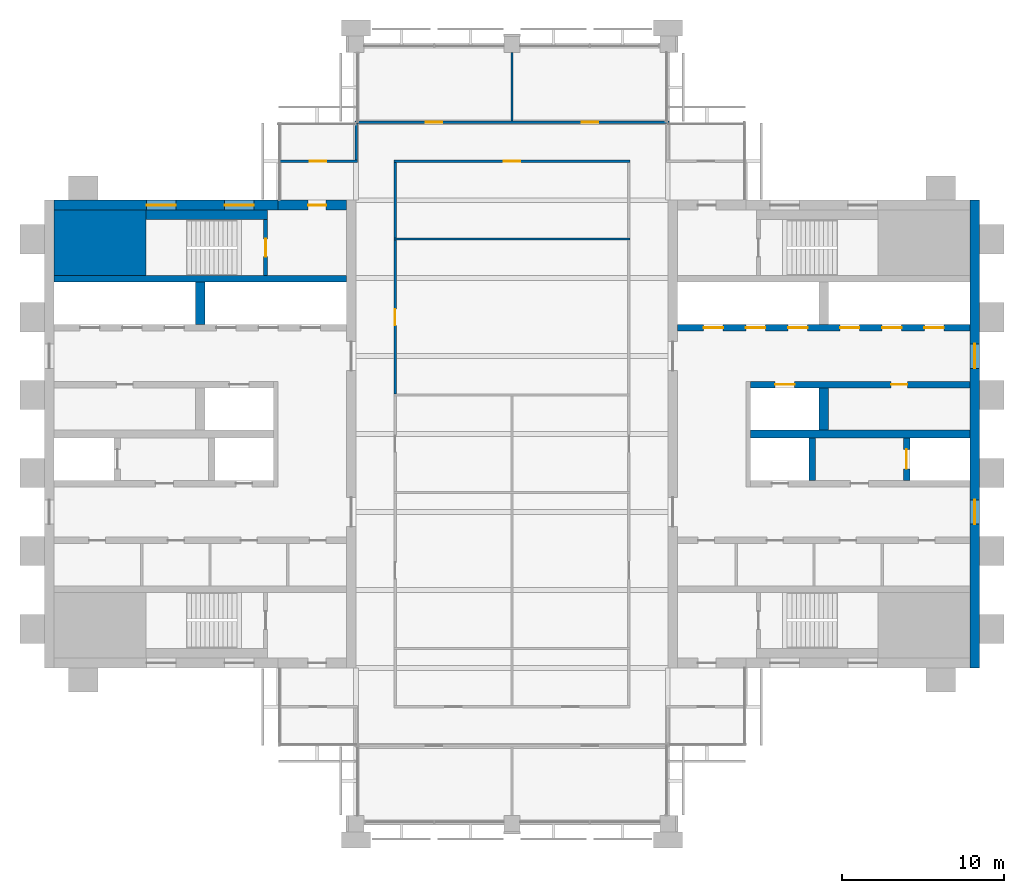
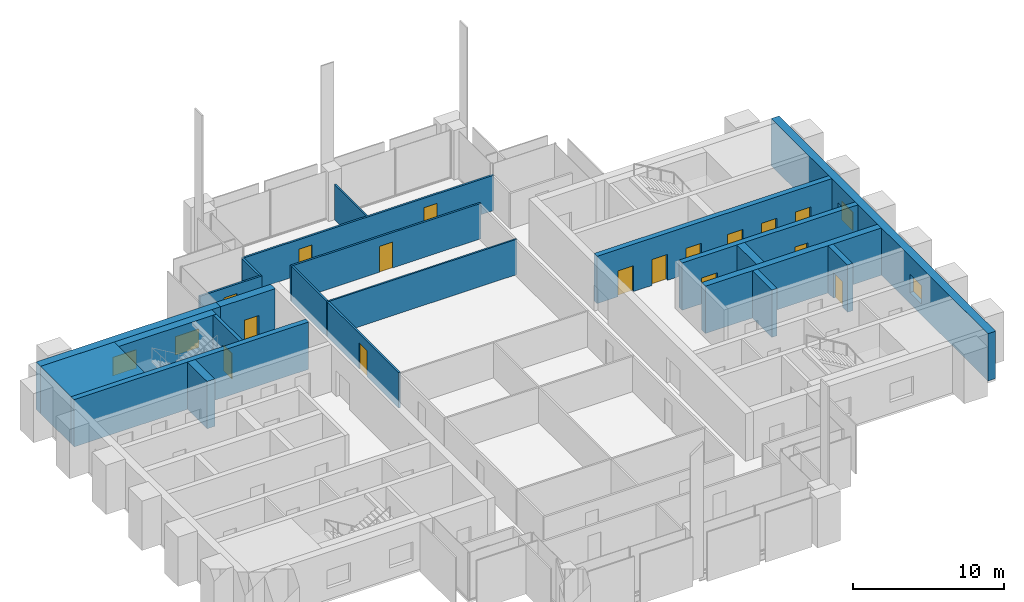
# One storey, part 10 of 12: 22 walls, 16 doors, 4 windows, 20 openings.
"""IFC4 building model written with IfcOpenShell, lengths in metres."""

import ifcopenshell
import ifcopenshell.guid

model = None  # the IFC model being written
_history = None  # IfcOwnerHistory: only IFC2X3 demands one
_inside = {}  # id of a spatial element -> (the spatial element, [elements in it])
_under = {}  # id of a project, library or spatial element -> (it, [spatial elements below it])
_declared = {}  # id of a project -> (the project, [libraries it declares])
_typed = {}  # id of a type object -> (the type object, [elements of that type])
_made_of = {}  # id of a material, layer set ... -> (it, [elements and type objects made of it])


def new_model(schema):
    """Start an empty IFC model of exactly this schema.

    Asked for "IFC4X3", IfcOpenShell would pick the latest addendum, in which some entities
    have other attributes; the version numbers below select the first issue.
    IFC2X3 requires an IfcOwnerHistory on every rooted entity: one is made here for all.
    """
    global model, _history
    if schema == "IFC4X3":
        model = ifcopenshell.file(schema_version=(4, 3, 0, 0))
    else:
        model = ifcopenshell.file(schema=schema)
    _inside.clear()
    _under.clear()
    _declared.clear()
    _typed.clear()
    _made_of.clear()
    _history = None
    if model.schema == "IFC2X3":
        org = make("IfcOrganization", Name="unknown")
        user = make(
            "IfcPersonAndOrganization",
            ThePerson=make("IfcPerson", FamilyName="unknown"),
            TheOrganization=org,
        )
        app = make(
            "IfcApplication",
            ApplicationDeveloper=org,
            Version="unknown",
            ApplicationFullName="unknown",
            ApplicationIdentifier="unknown",
        )
        _history = make(
            "IfcOwnerHistory",
            OwningUser=user,
            OwningApplication=app,
            ChangeAction="ADDED",
            CreationDate=0,
        )
    return model


def make(cls, **values):
    """One entity of the class cls with the attributes given. An attribute that is None is left unset."""
    return model.create_entity(
        cls, **{name: value for name, value in values.items() if value is not None}
    )


def rooted(cls, **values):
    """An entity with a GlobalId (a new one), such as an element, a storey or a relation."""
    return make(cls, GlobalId=ifcopenshell.guid.new(), OwnerHistory=_history, **values)


def si_unit(unit_type, name, prefix=None):
    """IfcSIUnit, for example si_unit("LENGTHUNIT", "METRE", prefix="MILLI")."""
    return make("IfcSIUnit", UnitType=unit_type, Prefix=prefix, Name=name)


def assignment(units):
    """IfcUnitAssignment: the units of a project."""
    return None if units is None else make("IfcUnitAssignment", Units=units)


def point(xyz):
    """IfcCartesianPoint."""
    return None if xyz is None else make("IfcCartesianPoint", Coordinates=xyz)


def direction(xyz):
    """IfcDirection."""
    return None if xyz is None else make("IfcDirection", DirectionRatios=xyz)


def frame(location, z_axis=None, x_axis=None):
    """IfcAxis2Placement3D, a coordinate frame: its origin and axes. An axis left out is left unset."""
    return make(
        "IfcAxis2Placement3D",
        Location=point(location),
        Axis=direction(z_axis),
        RefDirection=direction(x_axis),
    )


def frame_2d(location, x_axis=None):
    """IfcAxis2Placement2D, a coordinate frame in the plane: its origin and x axis."""
    return make(
        "IfcAxis2Placement2D", Location=point(location), RefDirection=direction(x_axis)
    )


def origin():
    """The frame at (0, 0, 0) with its axes left unset."""
    return frame((0.0, 0.0, 0.0))


def place(relative_to, where):
    """IfcLocalPlacement: puts the frame where relative to a parent placement (None: the world)."""
    return make(
        "IfcLocalPlacement", PlacementRelTo=relative_to, RelativePlacement=where
    )


def context(
    kind, dimensions, precision=None, world=None, true_north=None, identifier=None
):
    """IfcGeometricRepresentationContext, for example the 3D "Model" context."""
    return make(
        "IfcGeometricRepresentationContext",
        ContextIdentifier=identifier,
        ContextType=kind,
        CoordinateSpaceDimension=dimensions,
        Precision=precision,
        WorldCoordinateSystem=world,
        TrueNorth=true_north,
    )


def subcontext(parent, identifier, kind, view, scale=None):
    """IfcGeometricRepresentationSubContext, for example "Body" below "Model"."""
    return make(
        "IfcGeometricRepresentationSubContext",
        ContextIdentifier=identifier,
        ContextType=kind,
        ParentContext=parent,
        TargetScale=scale,
        TargetView=view,
    )


def project(units=None, contexts=None):
    """IfcProject with its units and contexts."""
    return rooted(
        "IfcProject",
        Name="project",
        RepresentationContexts=contexts,
        UnitsInContext=assignment(units),
    )


def spatial(cls, under=None, at=None, **own):
    """A site, building, storey or space (cls), placed at a placement, below another one or the project."""
    s = rooted(cls, ObjectPlacement=at, **own)
    if under is not None:
        _under.setdefault(under.id(), (under, []))[1].append(s)
    return s


def profile(cls, at=None, kind="AREA", **sizes):
    """A parametric profile (cls). Its sizes go by their IFC names, for example OverallWidth=200.0."""
    return make(cls, ProfileType=kind, Position=at, **sizes)


def rectangle(**sizes):
    """IfcRectangleProfileDef."""
    return profile("IfcRectangleProfileDef", **sizes)


def extrude(swept, where, along, depth):
    """IfcExtrudedAreaSolid: the profile swept, set in the frame where, extruded along a direction by depth."""
    return make(
        "IfcExtrudedAreaSolid",
        SweptArea=swept,
        Position=where,
        ExtrudedDirection=direction(along),
        Depth=depth,
    )


def shape(context_of_items, identifier, shape_type, items):
    """IfcShapeRepresentation: the items that make up one representation, for example the "Body"."""
    return make(
        "IfcShapeRepresentation",
        ContextOfItems=context_of_items,
        RepresentationIdentifier=identifier,
        RepresentationType=shape_type,
        Items=items,
    )


def material(Name=None, Category=None):
    """IfcMaterial."""
    return make("IfcMaterial", Name=Name, Category=Category)


def layer(
    of_material, thickness, ventilated=None, Name=None, Category=None, Priority=None
):
    """IfcMaterialLayer: one layer of a wall or slab, of a material (None: an air gap)."""
    return make(
        "IfcMaterialLayer",
        Material=of_material,
        LayerThickness=thickness,
        IsVentilated=ventilated,
        Name=Name,
        Category=Category,
        Priority=Priority,
    )


def layer_set(layers, Name=None):
    """IfcMaterialLayerSet."""
    return make("IfcMaterialLayerSet", MaterialLayers=layers, LayerSetName=Name)


def made_of(thing, what):
    """Note that an element or type object is made of a material, layer set ...; save() writes the relation."""
    if what is not None:
        _made_of.setdefault(what.id(), (what, []))[1].append(thing)
    return thing


def type_object(cls, material=None, **own):
    """A type object (cls), such as IfcWallType, which elements share."""
    return made_of(rooted(cls, **own), material)


def element(
    cls,
    number,
    at=None,
    inside=None,
    cuts=None,
    type_object=None,
    material=None,
    context=None,
    identifier="Body",
    shape_type=None,
    held_by="IfcProductDefinitionShape",
    body=None,
    shapes=None,
    **own,
):
    """One element of the class cls, such as IfcWall. Its Tag is "e" and its number.

    at: its placement. inside: the storey or other place that contains it. cuts: it is an
    opening in that element (IfcRelVoidsElement). A single representation is given by context,
    identifier, shape_type and body (its items); several are given by shapes. held_by: the class
    of the entity that holds the representations. save() writes the other relations.
    """
    e = rooted(cls, Tag="e%d" % number, ObjectPlacement=at, **own)
    if body is not None:
        shapes = [shape(context, identifier, shape_type, body)]
    if shapes is not None:
        e.Representation = make(held_by, Representations=shapes)
    if inside is not None:
        _inside.setdefault(inside.id(), (inside, []))[1].append(e)
    if cuts is not None:
        rooted(
            "IfcRelVoidsElement", RelatingBuildingElement=cuts, RelatedOpeningElement=e
        )
    if type_object is not None:
        _typed.setdefault(type_object.id(), (type_object, []))[1].append(e)
    return made_of(e, material)


def fill(opening, filler):
    """IfcRelFillsElement: the door or window that sits in an opening."""
    return rooted(
        "IfcRelFillsElement",
        RelatingOpeningElement=opening,
        RelatedBuildingElement=filler,
    )


def aggregate(whole, parts):
    """IfcRelAggregates: a whole, such as a stair, and the parts it consists of."""
    return rooted("IfcRelAggregates", RelatingObject=whole, RelatedObjects=parts)


def save(model, path):
    """Write the relations noted so far, then the file.

    IfcRelAggregates (storeys below a building ...), IfcRelContainedInSpatialStructure (elements
    in a storey), IfcRelDefinesByType, IfcRelAssociatesMaterial and IfcRelDeclares: one each for
    every whole, place, type object, material and project.
    """
    for whole, parts in _under.values():
        aggregate(whole, parts)
    for where, things in _inside.values():
        rooted(
            "IfcRelContainedInSpatialStructure",
            RelatedElements=things,
            RelatingStructure=where,
        )
    for kind, things in _typed.values():
        rooted("IfcRelDefinesByType", RelatedObjects=things, RelatingType=kind)
    for what, things in _made_of.values():
        rooted("IfcRelAssociatesMaterial", RelatedObjects=things, RelatingMaterial=what)
    for by, libraries in _declared.values():
        rooted("IfcRelDeclares", RelatingContext=by, RelatedDefinitions=libraries)
    model.write(path)


model = new_model("IFC4")

# Units and contexts
model_context = context("Model", 3, precision=1e-05, world=origin(), true_north=direction((0.0, 1.0)))
body_context = subcontext(model_context, "Body", "Model", "MODEL_VIEW")
ifc_project = project(units=[si_unit("LENGTHUNIT", "METRE"), si_unit("AREAUNIT", "SQUARE_METRE"), si_unit("VOLUMEUNIT", "CUBIC_METRE"), si_unit("PLANEANGLEUNIT", "RADIAN"), si_unit("MASSUNIT", "GRAM", prefix="KILO")], contexts=[model_context])

# Site, building, storey
site_placement = place(None, origin())
site = spatial("IfcSite", under=ifc_project, at=site_placement, CompositionType="ELEMENT")
building_placement = place(site_placement, origin())
building = spatial("IfcBuilding", under=site, at=building_placement, Name="Baori Bourse Tower", CompositionType="ELEMENT")
storey_placement = place(building_placement, frame((0.0, 0.0, 306.300048828125)))
storey = spatial("IfcBuildingStorey", under=building, at=storey_placement, Name="L67", CompositionType="ELEMENT", Elevation=306.300048828125)

# Wall
ifc_material_1 = material(Name="Concrete f'c 40 MPa", Category="concrete")
wall_type_1 = type_object("IfcWallType", Name="Core corner block f'c 40", PredefinedType="SHEAR", material=ifc_material_1)
wall_1_placement = place(storey_placement, frame((0.60009765625, 35.77490234375, 0.0), z_axis=(0.0, 0.0, 1.0), x_axis=(1.0, 0.0, 0.0)))
element("IfcWall", 1, at=wall_1_placement, inside=storey, type_object=wall_type_1, Name="Core wall W23", PredefinedType="SHEAR", context=body_context, shape_type="SweptSolid", body=[
    extrude(rectangle(XDim=5.64990234375, YDim=4.050048828125, at=frame_2d((2.824951171875, 0.0))), origin(), (0.0, 0.0, 1.0), 3.83984375),
])

# Wall, openings, windows
ifc_material_2 = material(Name="Concrete f'c 40 MPa", Category="concrete")
ifc_layer_1 = layer(ifc_material_2, 0.60009765625)
ifc_layer_set_1 = layer_set([ifc_layer_1], Name="Core wall 600 f'c 40")
wall_type_2 = type_object("IfcWallType", Name="Core wall 600 f'c 40", PredefinedType="SHEAR", material=ifc_layer_set_1)
wall_2_placement = place(storey_placement, frame((0.60009765625, 38.10009765625, 0.0), z_axis=(0.0, 0.0, 1.0), x_axis=(1.0, 0.0, 0.0)))
wall_2 = element("IfcWall", 2, at=wall_2_placement, inside=storey, type_object=wall_type_2, Name="Core wall W26", PredefinedType="SHEAR", context=body_context, shape_type="SweptSolid", body=[
    extrude(rectangle(XDim=13.7998046875, YDim=0.60009765625, at=frame_2d((6.89990234375, 0.0))), origin(), (0.0, 0.0, 1.0), 3.83984375),
])
opening_1_placement = place(wall_2_placement, frame((5.699951171875, 0.0, 0.89990234375)))
opening_1 = element("IfcOpeningElement", 3, at=opening_1_placement, cuts=wall_2, Name="Opening L67-KW105", PredefinedType="OPENING", context=body_context, shape_type="SweptSolid", body=[
    extrude(rectangle(XDim=1.800048828125, YDim=1.5, at=frame_2d((0.89990234375, 0.75))), frame((0.0, 0.31005859375, 0.0), z_axis=(0.0, -1.0, 0.0), x_axis=(1.0, 0.0, 0.0)), (0.0, 0.0, 1.0), 0.6201171875),
])
opening_2_placement = place(wall_2_placement, frame((10.5, 0.0, 0.89990234375)))
opening_2 = element("IfcOpeningElement", 4, at=opening_2_placement, cuts=wall_2, Name="Opening L67-KW106", PredefinedType="OPENING", context=body_context, shape_type="SweptSolid", body=[
    extrude(rectangle(XDim=1.800048828125, YDim=1.5, at=frame_2d((0.89990234375, 0.75))), frame((0.0, 0.31005859375, 0.0), z_axis=(0.0, -1.0, 0.0), x_axis=(1.0, 0.0, 0.0)), (0.0, 0.0, 1.0), 0.6201171875),
])
ifc_material_3 = material(Name="Pale anodised aluminium", Category="aluminium")
window_type_1 = type_object("IfcWindowType", Name="Stair window 1800 x 1500", PartitioningType="SINGLE_PANEL", PredefinedType="WINDOW", material=ifc_material_3)
window_1_placement = place(opening_1_placement, origin())
window_1 = element("IfcWindow", 5, at=window_1_placement, inside=storey, type_object=window_type_1, Name="Stair window W L67 5", OverallHeight=1.5, OverallWidth=1.800048828125, PartitioningType="SINGLE_PANEL", PredefinedType="WINDOW", context=body_context, shape_type="SweptSolid", body=[
    extrude(rectangle(XDim=1.800048828125, YDim=1.5, at=frame_2d((0.89990234375, 0.75))), frame((0.0, 0.030029296875, 0.0), z_axis=(0.0, -1.0, 0.0), x_axis=(1.0, 0.0, 0.0)), (0.0, 0.0, 1.0), 0.06005859375),
])
fill(opening_1, window_1)
window_2_placement = place(opening_2_placement, origin())
window_2 = element("IfcWindow", 6, at=window_2_placement, inside=storey, type_object=window_type_1, Name="Stair window W L67 6", OverallHeight=1.5, OverallWidth=1.800048828125, PartitioningType="SINGLE_PANEL", PredefinedType="WINDOW", context=body_context, shape_type="SweptSolid", body=[
    extrude(rectangle(XDim=1.800048828125, YDim=1.5, at=frame_2d((0.89990234375, 0.75))), frame((0.0, 0.030029296875, 0.0), z_axis=(0.0, -1.0, 0.0), x_axis=(1.0, 0.0, 0.0)), (0.0, 0.0, 1.0), 0.06005859375),
])
fill(opening_2, window_2)

# Wall, opening, door
wall_3_placement = place(storey_placement, frame((14.39990234375, 38.10009765625, 0.0), z_axis=(0.0, 0.0, 1.0), x_axis=(1.0, 0.0, 0.0)))
wall_3 = element("IfcWall", 7, at=wall_3_placement, inside=storey, type_object=wall_type_2, Name="Core wall W27", PredefinedType="SHEAR", context=body_context, shape_type="SweptSolid", body=[
    extrude(rectangle(XDim=4.2001953125, YDim=0.60009765625, at=frame_2d((2.10009765625, 0.0))), origin(), (0.0, 0.0, 1.0), 3.83984375),
])
opening_3_placement = place(wall_3_placement, frame((1.85009765625, 0.0, 0.0)))
opening_3 = element("IfcOpeningElement", 8, at=opening_3_placement, cuts=wall_3, Name="Opening L67-D104", PredefinedType="OPENING", context=body_context, shape_type="SweptSolid", body=[
    extrude(rectangle(XDim=1.10009765625, YDim=2.10009765625, at=frame_2d((0.550048828125, 1.050048828125))), frame((0.0, 0.31005859375, 0.0), z_axis=(0.0, -1.0, 0.0), x_axis=(1.0, 0.0, 0.0)), (0.0, 0.0, 1.0), 0.6201171875),
])
ifc_material_4 = material(Name="Painted steel door", Category="steel")
door_type_1 = type_object("IfcDoorType", Name="Stair door 1100", OperationType="SINGLE_SWING_LEFT", PredefinedType="DOOR", material=ifc_material_4)
door_1_placement = place(opening_3_placement, origin())
door_1 = element("IfcDoor", 9, at=door_1_placement, inside=storey, type_object=door_type_1, Name="Stair vestibule door B W L67", OperationType="SINGLE_SWING_LEFT", OverallHeight=2.10009765625, OverallWidth=1.10009765625, PredefinedType="DOOR", context=body_context, shape_type="SweptSolid", body=[
    extrude(rectangle(XDim=1.10009765625, YDim=2.10009765625, at=frame_2d((0.550048828125, 1.050048828125))), frame((0.0, 0.02490234375, 0.0), z_axis=(0.0, -1.0, 0.0), x_axis=(1.0, 0.0, 0.0)), (0.0, 0.0, 1.0), 0.050048828125),
])
fill(opening_3, door_1)

# Wall, openings, windows
wall_4_placement = place(storey_placement, frame((57.300048828125, 38.39990234375, 0.0), z_axis=(0.0, 0.0, 1.0), x_axis=(0.0, -1.0, 0.0)))
wall_4 = element("IfcWall", 10, at=wall_4_placement, inside=storey, type_object=wall_type_2, Name="Core wall E01", PredefinedType="SHEAR", context=body_context, shape_type="SweptSolid", body=[
    extrude(rectangle(XDim=28.7998046875, YDim=0.60009765625, at=frame_2d((14.39990234375, 0.0))), origin(), (0.0, 0.0, 1.0), 3.83984375),
])
opening_4_placement = place(wall_4_placement, frame((18.449951171875, 0.0, 0.89990234375)))
opening_4 = element("IfcOpeningElement", 11, at=opening_4_placement, cuts=wall_4, Name="Opening L67-KW201", PredefinedType="OPENING", context=body_context, shape_type="SweptSolid", body=[
    extrude(rectangle(XDim=1.5, YDim=1.5, at=frame_2d((0.75, 0.75))), frame((0.0, 0.31005859375, 0.0), z_axis=(0.0, -1.0, 0.0), x_axis=(1.0, 0.0, 0.0)), (0.0, 0.0, 1.0), 0.6201171875),
])
opening_5_placement = place(wall_4_placement, frame((8.85009765625, 0.0, 0.89990234375)))
opening_5 = element("IfcOpeningElement", 12, at=opening_5_placement, cuts=wall_4, Name="Opening L67-KW202", PredefinedType="OPENING", context=body_context, shape_type="SweptSolid", body=[
    extrude(rectangle(XDim=1.5, YDim=1.5, at=frame_2d((0.75, 0.75))), frame((0.0, 0.31005859375, 0.0), z_axis=(0.0, -1.0, 0.0), x_axis=(1.0, 0.0, 0.0)), (0.0, 0.0, 1.0), 0.6201171875),
])
ifc_material_5 = material(Name="Pale anodised aluminium", Category="aluminium")
window_type_2 = type_object("IfcWindowType", Name="Lobby window 1500 x 1500", PartitioningType="SINGLE_PANEL", PredefinedType="WINDOW", material=ifc_material_5)
window_3_placement = place(opening_4_placement, origin())
window_3 = element("IfcWindow", 13, at=window_3_placement, inside=storey, type_object=window_type_2, Name="Outer wall window E L67 1", OverallHeight=1.5, OverallWidth=1.5, PartitioningType="SINGLE_PANEL", PredefinedType="WINDOW", context=body_context, shape_type="SweptSolid", body=[
    extrude(rectangle(XDim=1.5, YDim=1.5, at=frame_2d((0.75, 0.75))), frame((0.0, 0.030029296875, 0.0), z_axis=(0.0, -1.0, 0.0), x_axis=(1.0, 0.0, 0.0)), (0.0, 0.0, 1.0), 0.06005859375),
])
fill(opening_4, window_3)
window_4_placement = place(opening_5_placement, origin())
window_4 = element("IfcWindow", 14, at=window_4_placement, inside=storey, type_object=window_type_2, Name="Outer wall window E L67 2", OverallHeight=1.5, OverallWidth=1.5, PartitioningType="SINGLE_PANEL", PredefinedType="WINDOW", context=body_context, shape_type="SweptSolid", body=[
    extrude(rectangle(XDim=1.5, YDim=1.5, at=frame_2d((0.75, 0.75))), frame((0.0, 0.030029296875, 0.0), z_axis=(0.0, -1.0, 0.0), x_axis=(1.0, 0.0, 0.0)), (0.0, 0.0, 1.0), 0.06005859375),
])
fill(opening_5, window_4)

# Wall, opening, door
ifc_material_6 = material(Name="Gypsum board partition")
ifc_layer_2 = layer(ifc_material_6, 0.14990234375)
ifc_layer_set_2 = layer_set([ifc_layer_2], Name="Corridor partition 150")
wall_type_3 = type_object("IfcWallType", Name="Corridor partition 150", PredefinedType="PARTITIONING", material=ifc_layer_set_2)
wall_5_placement = place(storey_placement, frame((14.5, 40.800048828125, 0.0), z_axis=(0.0, 0.0, 1.0), x_axis=(1.0, 0.0, 0.0)))
wall_5 = element("IfcWall", 15, at=wall_5_placement, inside=storey, type_object=wall_type_3, Name="Partition", PredefinedType="PARTITIONING", context=body_context, shape_type="SweptSolid", body=[
    extrude(rectangle(XDim=4.77490234375, YDim=0.14990234375, at=frame_2d((2.387451171875, 0.0))), origin(), (0.0, 0.0, 1.0), 2.86962890625),
])
opening_6_placement = place(wall_5_placement, frame((1.85009765625, 0.0, 0.0)))
opening_6 = element("IfcOpeningElement", 16, at=opening_6_placement, cuts=wall_5, Name="Opening L67-D07", PredefinedType="OPENING", context=body_context, shape_type="SweptSolid", body=[
    extrude(rectangle(XDim=1.0, YDim=2.10009765625, at=frame_2d((0.5, 1.050048828125))), frame((0.0, 0.0849609375, 0.0), z_axis=(0.0, -1.0, 0.0), x_axis=(1.0, 0.0, 0.0)), (0.0, 0.0, 1.0), 0.169921875),
])
ifc_material_7 = material(Name="Timber door leaf", Category="wood")
door_type_2 = type_object("IfcDoorType", Name="Door 1000 x 2100", OperationType="SINGLE_SWING_LEFT", PredefinedType="DOOR", material=ifc_material_7)
door_2_placement = place(opening_6_placement, origin())
door_2 = element("IfcDoor", 17, at=door_2_placement, inside=storey, type_object=door_type_2, Name="Door", OperationType="SINGLE_SWING_RIGHT", OverallHeight=2.10009765625, OverallWidth=1.0, PredefinedType="DOOR", context=body_context, shape_type="SweptSolid", body=[
    extrude(rectangle(XDim=1.0, YDim=2.10009765625, at=frame_2d((0.5, 1.050048828125))), frame((0.0, 0.02490234375, 0.0), z_axis=(0.0, -1.0, 0.0), x_axis=(1.0, 0.0, 0.0)), (0.0, 0.0, 1.0), 0.050048828125),
])
fill(opening_6, door_2)

wall_6_placement = place(storey_placement, frame((21.52490234375, 40.800048828125, 0.0), z_axis=(0.0, 0.0, 1.0), x_axis=(1.0, 0.0, 0.0)))
wall_6 = element("IfcWall", 18, at=wall_6_placement, inside=storey, type_object=wall_type_3, Name="Partition", PredefinedType="PARTITIONING", context=body_context, shape_type="SweptSolid", body=[
    extrude(rectangle(XDim=14.550048828125, YDim=0.14990234375, at=frame_2d((7.27490234375, 0.0))), origin(), (0.0, 0.0, 1.0), 2.86962890625),
])
opening_7_placement = place(wall_6_placement, frame((6.77490234375, 0.0, 0.0)))
opening_7 = element("IfcOpeningElement", 19, at=opening_7_placement, cuts=wall_6, Name="Opening L67-D08", PredefinedType="OPENING", context=body_context, shape_type="SweptSolid", body=[
    extrude(rectangle(XDim=1.0, YDim=2.10009765625, at=frame_2d((0.5, 1.050048828125))), frame((0.0, 0.0849609375, 0.0), z_axis=(0.0, -1.0, 0.0), x_axis=(1.0, 0.0, 0.0)), (0.0, 0.0, 1.0), 0.169921875),
])
door_3_placement = place(opening_7_placement, origin())
door_3 = element("IfcDoor", 20, at=door_3_placement, inside=storey, type_object=door_type_2, Name="Door", OperationType="SINGLE_SWING_LEFT", OverallHeight=2.10009765625, OverallWidth=1.0, PredefinedType="DOOR", context=body_context, shape_type="SweptSolid", body=[
    extrude(rectangle(XDim=1.0, YDim=2.10009765625, at=frame_2d((0.5, 1.050048828125))), frame((0.0, 0.02490234375, 0.0), z_axis=(0.0, -1.0, 0.0), x_axis=(1.0, 0.0, 0.0)), (0.0, 0.0, 1.0), 0.050048828125),
])
fill(opening_7, door_3)

# Wall, openings, doors
wall_7_placement = place(storey_placement, frame((19.125, 43.199951171875, 0.0), z_axis=(0.0, 0.0, 1.0), x_axis=(1.0, 0.0, 0.0)))
wall_7 = element("IfcWall", 21, at=wall_7_placement, inside=storey, type_object=wall_type_3, Name="Partition", PredefinedType="PARTITIONING", context=body_context, shape_type="SweptSolid", body=[
    extrude(rectangle(XDim=19.35009765625, YDim=0.14990234375, at=frame_2d((9.675048828125, 0.0))), origin(), (0.0, 0.0, 1.0), 2.86962890625),
])
opening_8_placement = place(wall_7_placement, frame((4.375, 0.0, 0.0)))
opening_8 = element("IfcOpeningElement", 22, at=opening_8_placement, cuts=wall_7, Name="Opening L67-D10", PredefinedType="OPENING", context=body_context, shape_type="SweptSolid", body=[
    extrude(rectangle(XDim=1.0, YDim=2.10009765625, at=frame_2d((0.5, 1.050048828125))), frame((0.0, 0.0849609375, 0.0), z_axis=(0.0, -1.0, 0.0), x_axis=(1.0, 0.0, 0.0)), (0.0, 0.0, 1.0), 0.169921875),
])
opening_9_placement = place(wall_7_placement, frame((13.97509765625, 0.0, 0.0)))
opening_9 = element("IfcOpeningElement", 23, at=opening_9_placement, cuts=wall_7, Name="Opening L67-D11", PredefinedType="OPENING", context=body_context, shape_type="SweptSolid", body=[
    extrude(rectangle(XDim=1.0, YDim=2.10009765625, at=frame_2d((0.5, 1.050048828125))), frame((0.0, 0.0849609375, 0.0), z_axis=(0.0, -1.0, 0.0), x_axis=(1.0, 0.0, 0.0)), (0.0, 0.0, 1.0), 0.169921875),
])
door_4_placement = place(opening_8_placement, origin())
door_4 = element("IfcDoor", 24, at=door_4_placement, inside=storey, type_object=door_type_2, Name="Door", OperationType="SINGLE_SWING_RIGHT", OverallHeight=2.10009765625, OverallWidth=1.0, PredefinedType="DOOR", context=body_context, shape_type="SweptSolid", body=[
    extrude(rectangle(XDim=1.0, YDim=2.10009765625, at=frame_2d((0.5, 1.050048828125))), frame((0.0, 0.02490234375, 0.0), z_axis=(0.0, -1.0, 0.0), x_axis=(1.0, 0.0, 0.0)), (0.0, 0.0, 1.0), 0.050048828125),
])
fill(opening_8, door_4)
door_5_placement = place(opening_9_placement, origin())
door_5 = element("IfcDoor", 25, at=door_5_placement, inside=storey, type_object=door_type_2, Name="Door", OperationType="SINGLE_SWING_LEFT", OverallHeight=2.10009765625, OverallWidth=1.0, PredefinedType="DOOR", context=body_context, shape_type="SweptSolid", body=[
    extrude(rectangle(XDim=1.0, YDim=2.10009765625, at=frame_2d((0.5, 1.050048828125))), frame((0.0, 0.02490234375, 0.0), z_axis=(0.0, -1.0, 0.0), x_axis=(1.0, 0.0, 0.0)), (0.0, 0.0, 1.0), 0.050048828125),
])
fill(opening_9, door_5)

# Wall
wall_8_placement = place(storey_placement, frame((19.199951171875, 40.875, 0.0), z_axis=(0.0, 0.0, 1.0), x_axis=(0.0, 1.0, 0.0)))
element("IfcWall", 26, at=wall_8_placement, inside=storey, type_object=wall_type_3, Name="Partition", PredefinedType="PARTITIONING", context=body_context, shape_type="SweptSolid", body=[
    extrude(rectangle(XDim=2.25, YDim=0.14990234375, at=frame_2d((1.125, 0.0))), origin(), (0.0, 0.0, 1.0), 2.86962890625),
])

# Wall, opening, door
wall_9_placement = place(storey_placement, frame((21.60009765625, 26.46240234375, 0.0), z_axis=(0.0, 0.0, 1.0), x_axis=(0.0, 1.0, 0.0)))
wall_9 = element("IfcWall", 27, at=wall_9_placement, inside=storey, type_object=wall_type_3, Name="Partition", PredefinedType="PARTITIONING", context=body_context, shape_type="SweptSolid", body=[
    extrude(rectangle(XDim=9.47509765625, YDim=0.14990234375, at=frame_2d((4.737548828125, 0.0))), origin(), (0.0, 0.0, 1.0), 2.86962890625),
])
opening_10_placement = place(wall_9_placement, frame((4.237548828125, 0.0, 0.0)))
opening_10 = element("IfcOpeningElement", 28, at=opening_10_placement, cuts=wall_9, Name="Opening L67-D14", PredefinedType="OPENING", context=body_context, shape_type="SweptSolid", body=[
    extrude(rectangle(XDim=1.0, YDim=2.10009765625, at=frame_2d((0.5, 1.050048828125))), frame((0.0, 0.0849609375, 0.0), z_axis=(0.0, -1.0, 0.0), x_axis=(1.0, 0.0, 0.0)), (0.0, 0.0, 1.0), 0.169921875),
])
door_6_placement = place(opening_10_placement, origin())
door_6 = element("IfcDoor", 29, at=door_6_placement, inside=storey, type_object=door_type_2, Name="Door", OperationType="SINGLE_SWING_LEFT", OverallHeight=2.10009765625, OverallWidth=1.0, PredefinedType="DOOR", context=body_context, shape_type="SweptSolid", body=[
    extrude(rectangle(XDim=1.0, YDim=2.10009765625, at=frame_2d((0.5, 1.050048828125))), frame((0.0, 0.02490234375, 0.0), z_axis=(0.0, -1.0, 0.0), x_axis=(1.0, 0.0, 0.0)), (0.0, 0.0, 1.0), 0.050048828125),
])
fill(opening_10, door_6)

# Walls
wall_10_placement = place(storey_placement, frame((21.60009765625, 36.0625, 0.0), z_axis=(0.0, 0.0, 1.0), x_axis=(0.0, 1.0, 0.0)))
element("IfcWall", 30, at=wall_10_placement, inside=storey, type_object=wall_type_3, Name="Partition", PredefinedType="PARTITIONING", context=body_context, shape_type="SweptSolid", body=[
    extrude(rectangle(XDim=4.66259765625, YDim=0.14990234375, at=frame_2d((2.331298828125, 0.0))), origin(), (0.0, 0.0, 1.0), 2.86962890625),
])
ifc_material_8 = material(Name="Gypsum board partition")
ifc_layer_3 = layer(ifc_material_8, 0.125)
ifc_layer_set_3 = layer_set([ifc_layer_3], Name="Partition 125")
wall_type_4 = type_object("IfcWallType", Name="Partition 125", PredefinedType="PARTITIONING", material=ifc_layer_set_3)
wall_11_placement = place(storey_placement, frame((21.52490234375, 36.0, 0.0), z_axis=(0.0, 0.0, 1.0), x_axis=(1.0, 0.0, 0.0)))
element("IfcWall", 31, at=wall_11_placement, inside=storey, type_object=wall_type_4, Name="Partition", PredefinedType="PARTITIONING", context=body_context, shape_type="SweptSolid", body=[
    extrude(rectangle(XDim=14.550048828125, YDim=0.125, at=frame_2d((7.27490234375, 0.0))), origin(), (0.0, 0.0, 1.0), 2.86962890625),
])
wall_12_placement = place(storey_placement, frame((28.800048828125, 43.27490234375, 0.0), z_axis=(0.0, 0.0, 1.0), x_axis=(0.0, 1.0, 0.0)))
element("IfcWall", 32, at=wall_12_placement, inside=storey, type_object=wall_type_4, Name="Partition", PredefinedType="PARTITIONING", context=body_context, shape_type="SweptSolid", body=[
    extrude(rectangle(XDim=4.22509765625, YDim=0.125, at=frame_2d((2.112548828125, 0.0))), origin(), (0.0, 0.0, 1.0), 2.86962890625),
])

# Wall, opening, door
ifc_material_9 = material(Name="Concrete f'c 40 MPa", Category="concrete")
ifc_layer_4 = layer(ifc_material_9, 0.25)
ifc_layer_set_4 = layer_set([ifc_layer_4], Name="Shaft wall 250 f'c 40")
wall_type_5 = type_object("IfcWallType", Name="Shaft wall 250 f'c 40", PredefinedType="SHEAR", material=ifc_layer_set_4)
wall_13_placement = place(storey_placement, frame((13.625, 33.75, 0.0), z_axis=(0.0, 0.0, 1.0), x_axis=(0.0, 1.0, 0.0)))
wall_13 = element("IfcWall", 33, at=wall_13_placement, inside=storey, type_object=wall_type_5, Name="Core wall W24", PredefinedType="SHEAR", context=body_context, shape_type="SweptSolid", body=[
    extrude(rectangle(XDim=3.449951171875, YDim=0.25, at=frame_2d((1.72509765625, 0.0))), origin(), (0.0, 0.0, 1.0), 3.83984375),
])
opening_11_placement = place(wall_13_placement, frame((1.175048828125, 0.0, 0.0)))
opening_11 = element("IfcOpeningElement", 34, at=opening_11_placement, cuts=wall_13, Name="Opening L67-D103", PredefinedType="OPENING", context=body_context, shape_type="SweptSolid", body=[
    extrude(rectangle(XDim=1.10009765625, YDim=2.10009765625, at=frame_2d((0.550048828125, 1.050048828125))), frame((0.0, 0.135009765625, 0.0), z_axis=(0.0, -1.0, 0.0), x_axis=(1.0, 0.0, 0.0)), (0.0, 0.0, 1.0), 0.27001953125),
])
door_7_placement = place(opening_11_placement, origin())
door_7 = element("IfcDoor", 35, at=door_7_placement, inside=storey, type_object=door_type_1, Name="Stair door B W L67", OperationType="SINGLE_SWING_LEFT", OverallHeight=2.10009765625, OverallWidth=1.10009765625, PredefinedType="DOOR", context=body_context, shape_type="SweptSolid", body=[
    extrude(rectangle(XDim=1.10009765625, YDim=2.10009765625, at=frame_2d((0.550048828125, 1.050048828125))), frame((0.0, 0.02490234375, 0.0), z_axis=(0.0, -1.0, 0.0), x_axis=(1.0, 0.0, 0.0)), (0.0, 0.0, 1.0), 0.050048828125),
])
fill(opening_11, door_7)

# Wall
ifc_material_10 = material(Name="Concrete f'c 40 MPa", Category="concrete")
ifc_layer_5 = layer(ifc_material_10, 0.39990234375)
ifc_layer_set_5 = layer_set([ifc_layer_5], Name="Shaft wall 400 f'c 40")
wall_type_6 = type_object("IfcWallType", Name="Shaft wall 400 f'c 40", PredefinedType="SHEAR", material=ifc_layer_set_5)
wall_14_placement = place(storey_placement, frame((0.60009765625, 33.550048828125, 0.0), z_axis=(0.0, 0.0, 1.0), x_axis=(1.0, 0.0, 0.0)))
element("IfcWall", 36, at=wall_14_placement, inside=storey, type_object=wall_type_6, Name="Core wall W22", PredefinedType="SHEAR", context=body_context, shape_type="SweptSolid", body=[
    extrude(rectangle(XDim=18.0, YDim=0.39990234375, at=frame_2d((9.0, 0.0))), origin(), (0.0, 0.0, 1.0), 3.83984375),
])

# Wall, opening, door
wall_15_placement = place(storey_placement, frame((53.10009765625, 21.14990234375, 0.0), z_axis=(0.0, 0.0, 1.0), x_axis=(0.0, 1.0, 0.0)))
wall_15 = element("IfcWall", 37, at=wall_15_placement, inside=storey, type_object=wall_type_6, Name="Core wall E15", PredefinedType="SHEAR", context=body_context, shape_type="SweptSolid", body=[
    extrude(rectangle(XDim=2.60009765625, YDim=0.39990234375, at=frame_2d((1.300048828125, 0.0))), origin(), (0.0, 0.0, 1.0), 3.83984375),
])
opening_12_placement = place(wall_15_placement, frame((0.699951171875, 0.0, 0.0)))
opening_12 = element("IfcOpeningElement", 38, at=opening_12_placement, cuts=wall_15, Name="Opening L67-D221", PredefinedType="OPENING", context=body_context, shape_type="SweptSolid", body=[
    extrude(rectangle(XDim=1.199951171875, YDim=2.10009765625, at=frame_2d((0.60009765625, 1.050048828125))), frame((0.0, 0.2099609375, 0.0), z_axis=(0.0, -1.0, 0.0), x_axis=(1.0, 0.0, 0.0)), (0.0, 0.0, 1.0), 0.419921875),
])
ifc_material_11 = material(Name="Stainless steel door", Category="steel")
door_type_3 = type_object("IfcDoorType", Name="Lift landing door", OperationType="DOUBLE_DOOR_SLIDING", PredefinedType="DOOR", material=ifc_material_11)
door_8_placement = place(opening_12_placement, origin())
door_8 = element("IfcDoor", 39, at=door_8_placement, inside=storey, type_object=door_type_3, Name="Lift landing door FF2 E L67", OperationType="DOUBLE_DOOR_SLIDING", OverallHeight=2.10009765625, OverallWidth=1.199951171875, PredefinedType="DOOR", context=body_context, shape_type="SweptSolid", body=[
    extrude(rectangle(XDim=1.199951171875, YDim=2.10009765625, at=frame_2d((0.60009765625, 1.050048828125))), frame((0.0, 0.02490234375, 0.0), z_axis=(0.0, -1.0, 0.0), x_axis=(1.0, 0.0, 0.0)), (0.0, 0.0, 1.0), 0.050048828125),
])
fill(opening_12, door_8)

# Wall
wall_16_placement = place(storey_placement, frame((47.300048828125, 21.14990234375, 0.0), z_axis=(0.0, 0.0, 1.0), x_axis=(0.0, 1.0, 0.0)))
element("IfcWall", 40, at=wall_16_placement, inside=storey, type_object=wall_type_6, Name="Core wall E16", PredefinedType="SHEAR", context=body_context, shape_type="SweptSolid", body=[
    extrude(rectangle(XDim=2.60009765625, YDim=0.39990234375, at=frame_2d((1.300048828125, 0.0))), origin(), (0.0, 0.0, 1.0), 3.83984375),
])

# Wall, openings, doors
wall_17_placement = place(storey_placement, frame((43.5, 27.050048828125, 0.0), z_axis=(0.0, 0.0, 1.0), x_axis=(1.0, 0.0, 0.0)))
wall_17 = element("IfcWall", 41, at=wall_17_placement, inside=storey, type_object=wall_type_6, Name="Core wall E19", PredefinedType="SHEAR", context=body_context, shape_type="SweptSolid", body=[
    extrude(rectangle(XDim=13.5, YDim=0.39990234375, at=frame_2d((6.75, 0.0))), origin(), (0.0, 0.0, 1.0), 3.83984375),
])
opening_13_placement = place(wall_17_placement, frame((8.64990234375, 0.0, 0.0)))
opening_13 = element("IfcOpeningElement", 42, at=opening_13_placement, cuts=wall_17, Name="Opening L67-D213", PredefinedType="OPENING", context=body_context, shape_type="SweptSolid", body=[
    extrude(rectangle(XDim=1.0, YDim=2.10009765625, at=frame_2d((0.5, 1.050048828125))), frame((0.0, 0.2099609375, 0.0), z_axis=(0.0, -1.0, 0.0), x_axis=(1.0, 0.0, 0.0)), (0.0, 0.0, 1.0), 0.419921875),
])
opening_14_placement = place(wall_17_placement, frame((1.5, 0.0, 0.0)))
opening_14 = element("IfcOpeningElement", 43, at=opening_14_placement, cuts=wall_17, Name="Opening L67-D220", PredefinedType="OPENING", context=body_context, shape_type="SweptSolid", body=[
    extrude(rectangle(XDim=1.199951171875, YDim=2.10009765625, at=frame_2d((0.60009765625, 1.050048828125))), frame((0.0, 0.2099609375, 0.0), z_axis=(0.0, -1.0, 0.0), x_axis=(1.0, 0.0, 0.0)), (0.0, 0.0, 1.0), 0.419921875),
])
ifc_material_12 = material(Name="Painted steel door", Category="steel")
door_type_4 = type_object("IfcDoorType", Name="Core door 1000", OperationType="SINGLE_SWING_LEFT", PredefinedType="DOOR", material=ifc_material_12)
door_9_placement = place(opening_13_placement, origin())
door_9 = element("IfcDoor", 44, at=door_9_placement, inside=storey, type_object=door_type_4, Name="Pantry door E L67", OperationType="SINGLE_SWING_LEFT", OverallHeight=2.10009765625, OverallWidth=1.0, PredefinedType="DOOR", context=body_context, shape_type="SweptSolid", body=[
    extrude(rectangle(XDim=1.0, YDim=2.10009765625, at=frame_2d((0.5, 1.050048828125))), frame((0.0, 0.02490234375, 0.0), z_axis=(0.0, -1.0, 0.0), x_axis=(1.0, 0.0, 0.0)), (0.0, 0.0, 1.0), 0.050048828125),
])
fill(opening_13, door_9)
door_10_placement = place(opening_14_placement, origin())
door_10 = element("IfcDoor", 45, at=door_10_placement, inside=storey, type_object=door_type_3, Name="Lift landing door SV1 E L67", OperationType="DOUBLE_DOOR_SLIDING", OverallHeight=2.10009765625, OverallWidth=1.199951171875, PredefinedType="DOOR", context=body_context, shape_type="SweptSolid", body=[
    extrude(rectangle(XDim=1.199951171875, YDim=2.10009765625, at=frame_2d((0.60009765625, 1.050048828125))), frame((0.0, 0.02490234375, 0.0), z_axis=(0.0, -1.0, 0.0), x_axis=(1.0, 0.0, 0.0)), (0.0, 0.0, 1.0), 0.050048828125),
])
fill(opening_14, door_10)

wall_18_placement = place(storey_placement, frame((39.0, 30.550048828125, 0.0), z_axis=(0.0, 0.0, 1.0), x_axis=(1.0, 0.0, 0.0)))
wall_18 = element("IfcWall", 46, at=wall_18_placement, inside=storey, type_object=wall_type_6, Name="Core wall E20", PredefinedType="SHEAR", context=body_context, shape_type="SweptSolid", body=[
    extrude(rectangle(XDim=18.0, YDim=0.39990234375, at=frame_2d((9.0, 0.0))), origin(), (0.0, 0.0, 1.0), 3.83984375),
])
opening_15_placement = place(wall_18_placement, frame((15.199951171875, 0.0, 0.0)))
opening_15 = element("IfcOpeningElement", 47, at=opening_15_placement, cuts=wall_18, Name="Opening L67-D214", PredefinedType="OPENING", context=body_context, shape_type="SweptSolid", body=[
    extrude(rectangle(XDim=1.199951171875, YDim=2.10009765625, at=frame_2d((0.60009765625, 1.050048828125))), frame((0.0, 0.2099609375, 0.0), z_axis=(0.0, -1.0, 0.0), x_axis=(1.0, 0.0, 0.0)), (0.0, 0.0, 1.0), 0.419921875),
])
opening_16_placement = place(wall_18_placement, frame((12.60009765625, 0.0, 0.0)))
opening_16 = element("IfcOpeningElement", 48, at=opening_16_placement, cuts=wall_18, Name="Opening L67-D215", PredefinedType="OPENING", context=body_context, shape_type="SweptSolid", body=[
    extrude(rectangle(XDim=1.199951171875, YDim=2.10009765625, at=frame_2d((0.60009765625, 1.050048828125))), frame((0.0, 0.2099609375, 0.0), z_axis=(0.0, -1.0, 0.0), x_axis=(1.0, 0.0, 0.0)), (0.0, 0.0, 1.0), 0.419921875),
])
opening_17_placement = place(wall_18_placement, frame((10.0, 0.0, 0.0)))
opening_17 = element("IfcOpeningElement", 49, at=opening_17_placement, cuts=wall_18, Name="Opening L67-D216", PredefinedType="OPENING", context=body_context, shape_type="SweptSolid", body=[
    extrude(rectangle(XDim=1.199951171875, YDim=2.10009765625, at=frame_2d((0.60009765625, 1.050048828125))), frame((0.0, 0.2099609375, 0.0), z_axis=(0.0, -1.0, 0.0), x_axis=(1.0, 0.0, 0.0)), (0.0, 0.0, 1.0), 0.419921875),
])
opening_18_placement = place(wall_18_placement, frame((6.800048828125, 0.0, 0.0)))
opening_18 = element("IfcOpeningElement", 50, at=opening_18_placement, cuts=wall_18, Name="Opening L67-D217", PredefinedType="OPENING", context=body_context, shape_type="SweptSolid", body=[
    extrude(rectangle(XDim=1.199951171875, YDim=2.10009765625, at=frame_2d((0.60009765625, 1.050048828125))), frame((0.0, 0.2099609375, 0.0), z_axis=(0.0, -1.0, 0.0), x_axis=(1.0, 0.0, 0.0)), (0.0, 0.0, 1.0), 0.419921875),
])
opening_19_placement = place(wall_18_placement, frame((4.199951171875, 0.0, 0.0)))
opening_19 = element("IfcOpeningElement", 51, at=opening_19_placement, cuts=wall_18, Name="Opening L67-D218", PredefinedType="OPENING", context=body_context, shape_type="SweptSolid", body=[
    extrude(rectangle(XDim=1.199951171875, YDim=2.10009765625, at=frame_2d((0.60009765625, 1.050048828125))), frame((0.0, 0.2099609375, 0.0), z_axis=(0.0, -1.0, 0.0), x_axis=(1.0, 0.0, 0.0)), (0.0, 0.0, 1.0), 0.419921875),
])
opening_20_placement = place(wall_18_placement, frame((1.60009765625, 0.0, 0.0)))
opening_20 = element("IfcOpeningElement", 52, at=opening_20_placement, cuts=wall_18, Name="Opening L67-D219", PredefinedType="OPENING", context=body_context, shape_type="SweptSolid", body=[
    extrude(rectangle(XDim=1.199951171875, YDim=2.10009765625, at=frame_2d((0.60009765625, 1.050048828125))), frame((0.0, 0.2099609375, 0.0), z_axis=(0.0, -1.0, 0.0), x_axis=(1.0, 0.0, 0.0)), (0.0, 0.0, 1.0), 0.419921875),
])
door_11_placement = place(opening_15_placement, origin())
door_11 = element("IfcDoor", 53, at=door_11_placement, inside=storey, type_object=door_type_3, Name="Lift landing door HR1 E L67", OperationType="DOUBLE_DOOR_SLIDING", OverallHeight=2.10009765625, OverallWidth=1.199951171875, PredefinedType="DOOR", context=body_context, shape_type="SweptSolid", body=[
    extrude(rectangle(XDim=1.199951171875, YDim=2.10009765625, at=frame_2d((0.60009765625, 1.050048828125))), frame((0.0, 0.02490234375, 0.0), z_axis=(0.0, -1.0, 0.0), x_axis=(1.0, 0.0, 0.0)), (0.0, 0.0, 1.0), 0.050048828125),
])
fill(opening_15, door_11)
door_12_placement = place(opening_16_placement, origin())
door_12 = element("IfcDoor", 54, at=door_12_placement, inside=storey, type_object=door_type_3, Name="Lift landing door HR2 E L67", OperationType="DOUBLE_DOOR_SLIDING", OverallHeight=2.10009765625, OverallWidth=1.199951171875, PredefinedType="DOOR", context=body_context, shape_type="SweptSolid", body=[
    extrude(rectangle(XDim=1.199951171875, YDim=2.10009765625, at=frame_2d((0.60009765625, 1.050048828125))), frame((0.0, 0.02490234375, 0.0), z_axis=(0.0, -1.0, 0.0), x_axis=(1.0, 0.0, 0.0)), (0.0, 0.0, 1.0), 0.050048828125),
])
fill(opening_16, door_12)
door_13_placement = place(opening_17_placement, origin())
door_13 = element("IfcDoor", 55, at=door_13_placement, inside=storey, type_object=door_type_3, Name="Lift landing door HR3 E L67", OperationType="DOUBLE_DOOR_SLIDING", OverallHeight=2.10009765625, OverallWidth=1.199951171875, PredefinedType="DOOR", context=body_context, shape_type="SweptSolid", body=[
    extrude(rectangle(XDim=1.199951171875, YDim=2.10009765625, at=frame_2d((0.60009765625, 1.050048828125))), frame((0.0, 0.02490234375, 0.0), z_axis=(0.0, -1.0, 0.0), x_axis=(1.0, 0.0, 0.0)), (0.0, 0.0, 1.0), 0.050048828125),
])
fill(opening_17, door_13)
door_14_placement = place(opening_18_placement, origin())
door_14 = element("IfcDoor", 56, at=door_14_placement, inside=storey, type_object=door_type_3, Name="Lift landing door HR4 E L67", OperationType="DOUBLE_DOOR_SLIDING", OverallHeight=2.10009765625, OverallWidth=1.199951171875, PredefinedType="DOOR", context=body_context, shape_type="SweptSolid", body=[
    extrude(rectangle(XDim=1.199951171875, YDim=2.10009765625, at=frame_2d((0.60009765625, 1.050048828125))), frame((0.0, 0.02490234375, 0.0), z_axis=(0.0, -1.0, 0.0), x_axis=(1.0, 0.0, 0.0)), (0.0, 0.0, 1.0), 0.050048828125),
])
fill(opening_18, door_14)
door_15_placement = place(opening_19_placement, origin())
door_15 = element("IfcDoor", 57, at=door_15_placement, inside=storey, type_object=door_type_3, Name="Lift landing door HR5 E L67", OperationType="DOUBLE_DOOR_SLIDING", OverallHeight=2.10009765625, OverallWidth=1.199951171875, PredefinedType="DOOR", context=body_context, shape_type="SweptSolid", body=[
    extrude(rectangle(XDim=1.199951171875, YDim=2.10009765625, at=frame_2d((0.60009765625, 1.050048828125))), frame((0.0, 0.02490234375, 0.0), z_axis=(0.0, -1.0, 0.0), x_axis=(1.0, 0.0, 0.0)), (0.0, 0.0, 1.0), 0.050048828125),
])
fill(opening_19, door_15)
door_16_placement = place(opening_20_placement, origin())
door_16 = element("IfcDoor", 58, at=door_16_placement, inside=storey, type_object=door_type_3, Name="Lift landing door HR6 E L67", OperationType="DOUBLE_DOOR_SLIDING", OverallHeight=2.10009765625, OverallWidth=1.199951171875, PredefinedType="DOOR", context=body_context, shape_type="SweptSolid", body=[
    extrude(rectangle(XDim=1.199951171875, YDim=2.10009765625, at=frame_2d((0.60009765625, 1.050048828125))), frame((0.0, 0.02490234375, 0.0), z_axis=(0.0, -1.0, 0.0), x_axis=(1.0, 0.0, 0.0)), (0.0, 0.0, 1.0), 0.050048828125),
])
fill(opening_20, door_16)

# Walls
ifc_material_13 = material(Name="Concrete f'c 40 MPa", Category="concrete")
ifc_layer_6 = layer(ifc_material_13, 0.5)
ifc_layer_set_6 = layer_set([ifc_layer_6], Name="Shaft wall 500 f'c 40")
wall_type_7 = type_object("IfcWallType", Name="Shaft wall 500 f'c 40", PredefinedType="SHEAR", material=ifc_layer_set_6)
wall_19_placement = place(storey_placement, frame((43.5, 24.0, 0.0), z_axis=(0.0, 0.0, 1.0), x_axis=(1.0, 0.0, 0.0)))
element("IfcWall", 59, at=wall_19_placement, inside=storey, type_object=wall_type_7, Name="Core wall E17", PredefinedType="SHEAR", context=body_context, shape_type="SweptSolid", body=[
    extrude(rectangle(XDim=13.5, YDim=0.5, at=frame_2d((6.75, 0.0))), origin(), (0.0, 0.0, 1.0), 3.83984375),
])
ifc_material_14 = material(Name="Concrete f'c 40 MPa", Category="concrete")
ifc_layer_7 = layer(ifc_material_14, 0.60009765625)
ifc_layer_set_7 = layer_set([ifc_layer_7], Name="Shaft wall 600 f'c 40")
wall_type_8 = type_object("IfcWallType", Name="Shaft wall 600 f'c 40", PredefinedType="SHEAR", material=ifc_layer_set_7)
wall_20_placement = place(storey_placement, frame((9.60009765625, 30.75, 0.0), z_axis=(0.0, 0.0, 1.0), x_axis=(0.0, 1.0, 0.0)))
element("IfcWall", 60, at=wall_20_placement, inside=storey, type_object=wall_type_8, Name="Core wall W21", PredefinedType="SHEAR", context=body_context, shape_type="SweptSolid", body=[
    extrude(rectangle(XDim=2.60009765625, YDim=0.60009765625, at=frame_2d((1.300048828125, 0.0))), origin(), (0.0, 0.0, 1.0), 3.83984375),
])
wall_21_placement = place(storey_placement, frame((6.25, 37.5, 0.0), z_axis=(0.0, 0.0, 1.0), x_axis=(1.0, 0.0, 0.0)))
element("IfcWall", 61, at=wall_21_placement, inside=storey, type_object=wall_type_8, Name="Core wall W25", PredefinedType="SHEAR", context=body_context, shape_type="SweptSolid", body=[
    extrude(rectangle(XDim=7.5, YDim=0.60009765625, at=frame_2d((3.75, 0.0))), origin(), (0.0, 0.0, 1.0), 3.83984375),
])
wall_22_placement = place(storey_placement, frame((48.0, 24.25, 0.0), z_axis=(0.0, 0.0, 1.0), x_axis=(0.0, 1.0, 0.0)))
element("IfcWall", 62, at=wall_22_placement, inside=storey, type_object=wall_type_8, Name="Core wall E18", PredefinedType="SHEAR", context=body_context, shape_type="SweptSolid", body=[
    extrude(rectangle(XDim=2.60009765625, YDim=0.60009765625, at=frame_2d((1.300048828125, 0.0))), origin(), (0.0, 0.0, 1.0), 3.83984375),
])

save(model, "model.ifc")
